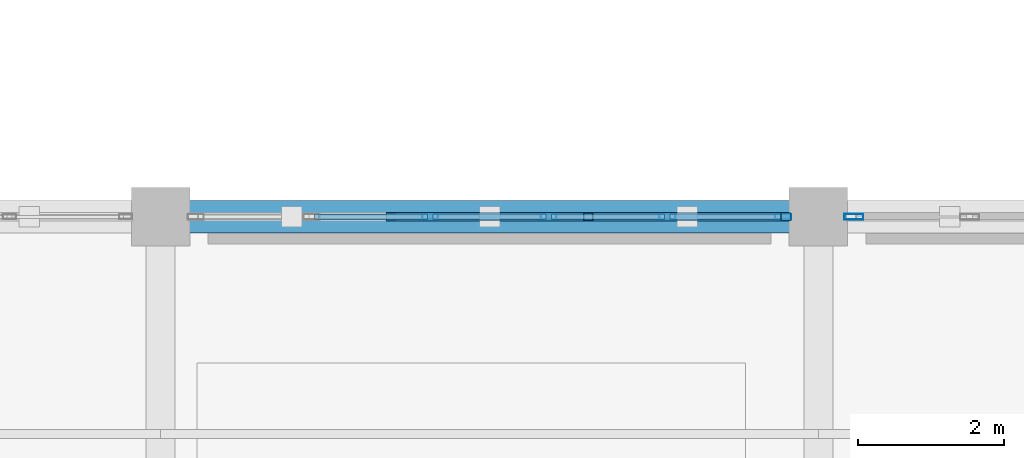
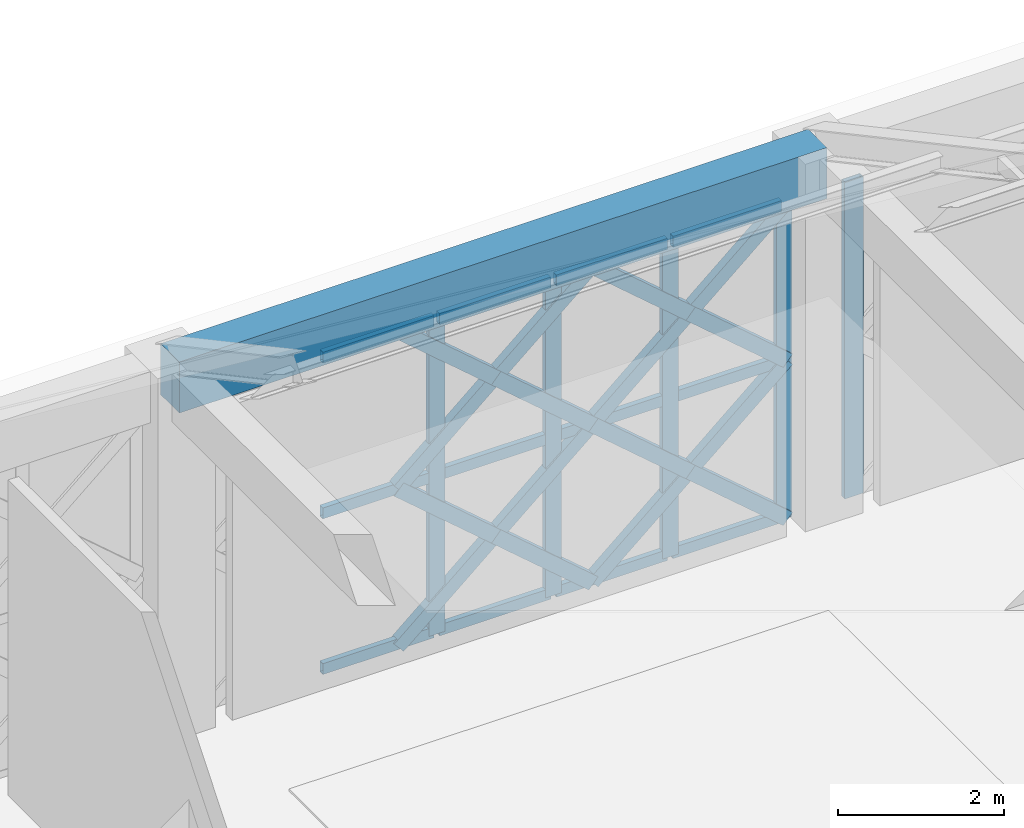
# One storey, part 29 of 86: 29 members, 1 beam, 2 elements without a shape of their own.
"""IFC4 building model written with IfcOpenShell, lengths in metres."""

from ifc_helpers import new_model, si_unit, direction, frame, origin, origin_2d, place, context, subcontext, project, spatial, rectangle, hollow_rectangle, extrude, material, material_profile, profile_set, type_object, element, aggregate, save


model = new_model("IFC4")

# Units and contexts
model_context = context("Model", 3, precision=1e-05, world=origin(), true_north=direction((0.0, 1.0)))
body_context = subcontext(model_context, "Body", "Model", "MODEL_VIEW")
ifc_project = project(units=[si_unit("LENGTHUNIT", "METRE"), si_unit("AREAUNIT", "SQUARE_METRE"), si_unit("VOLUMEUNIT", "CUBIC_METRE"), si_unit("PLANEANGLEUNIT", "RADIAN"), si_unit("MASSUNIT", "GRAM", prefix="KILO")], contexts=[model_context])

# Site, building, storey
site_placement = place(None, origin())
site = spatial("IfcSite", under=ifc_project, at=site_placement, CompositionType="ELEMENT")
building_placement = place(site_placement, origin())
building = spatial("IfcBuilding", under=site, at=building_placement, Name="Haizhuo Lancet Aquarium", CompositionType="ELEMENT")
storey_placement = place(building_placement, frame((0.0, 0.0, 16.199951171875)))
storey = spatial("IfcBuildingStorey", under=building, at=storey_placement, Name="L03", CompositionType="ELEMENT", Elevation=16.199951171875)

# Beam
ifc_material_1 = material(Name="Concrete C40/50", Category="concrete")
ifc_material_profile_1 = material_profile(ifc_material_1, rectangle(XDim=0.449951171875, YDim=0.75, at=origin_2d()), Name="RC-BM 450x750")
ifc_profile_set_1 = profile_set([ifc_material_profile_1], Name="Concrete C40/50")
beam_type = type_object("IfcBeamType", Name="BM-RC-450x750", PredefinedType="BEAM", material=ifc_profile_set_1)
beam_placement = place(storey_placement, frame((36.0, -9.0, 5.025146484375), z_axis=(1.0, 0.0, 0.0), x_axis=(0.0, 1.0, 0.0)))
element("IfcBeam", 1, at=beam_placement, inside=storey, type_object=beam_type, Name="L03 V3 primary girder BM-L03-V3-013", PredefinedType="BEAM", context=body_context, shape_type="SweptSolid", body=[
    extrude(rectangle(XDim=0.449951171875, YDim=0.75, at=origin_2d()), origin(), (0.0, 0.0, 1.0), 9.0),
])

# Curtain wall, members
ifc_material_2 = material(Name="Aluminium 6063-T6", Category="aluminium")
curtain_wall_type = type_object("IfcCurtainWallType", Name="CWO-8110x4650", PredefinedType="NOTDEFINED", material=ifc_material_2)
curtain_wall_1_placement = place(storey_placement, origin())
curtain_wall_1 = element("IfcCurtainWall", 2, at=curtain_wall_1_placement, inside=storey, type_object=curtain_wall_type, Name="L03 curtain wall CW-V3-L03-068", PredefinedType="NOTDEFINED")
ifc_material_profile_2 = material_profile(ifc_material_2, hollow_rectangle(XDim=0.074951171875, YDim=0.219970703125, WallThickness=0.0048828125, at=origin_2d()), Name="ALU-M 75x220x5")
ifc_profile_set_2 = profile_set([ifc_material_profile_2], Name="Aluminium 6063-T6")
member_type_1 = type_object("IfcMemberType", Name="CW-MUL-2", PredefinedType="MULLION", material=ifc_profile_set_2)
member_1_placement = place(storey_placement, frame((39.68896484375, -9.0, 0.0), z_axis=(0.0, 0.0, 1.0), x_axis=(0.0, 1.0, 0.0)))
member_1 = element("IfcMember", 3, at=member_1_placement, type_object=member_type_1, Name="CWO-81x46 mullion 3", PredefinedType="MULLION", context=body_context, shape_type="SweptSolid", body=[
    extrude(hollow_rectangle(XDim=0.074951171875, YDim=0.219970703125, WallThickness=0.0048828125, at=origin_2d()), origin(), (0.0, 0.0, 1.0), 4.650146484375),
])
member_2_placement = place(storey_placement, frame((41.31103515625, -9.0, 0.0), z_axis=(0.0, 0.0, 1.0), x_axis=(0.0, 1.0, 0.0)))
member_2 = element("IfcMember", 4, at=member_2_placement, type_object=member_type_1, Name="CWO-81x46 mullion 4", PredefinedType="MULLION", context=body_context, shape_type="SweptSolid", body=[
    extrude(hollow_rectangle(XDim=0.074951171875, YDim=0.219970703125, WallThickness=0.0048828125, at=origin_2d()), origin(), (0.0, 0.0, 1.0), 4.650146484375),
])
member_3_placement = place(storey_placement, frame((42.93310546875, -9.0, 0.0), z_axis=(0.0, 0.0, 1.0), x_axis=(0.0, 1.0, 0.0)))
member_3 = element("IfcMember", 5, at=member_3_placement, type_object=member_type_1, Name="CWO-81x46 mullion 5", PredefinedType="MULLION", context=body_context, shape_type="SweptSolid", body=[
    extrude(hollow_rectangle(XDim=0.074951171875, YDim=0.219970703125, WallThickness=0.0048828125, at=origin_2d()), origin(), (0.0, 0.0, 1.0), 4.650146484375),
])
member_4_placement = place(storey_placement, frame((44.51708984375, -9.0, 0.0), z_axis=(0.0, 0.0, 1.0), x_axis=(0.0, 1.0, 0.0)))
member_4 = element("IfcMember", 6, at=member_4_placement, type_object=member_type_1, Name="CWO-81x46 mullion 6", PredefinedType="MULLION", context=body_context, shape_type="SweptSolid", body=[
    extrude(hollow_rectangle(XDim=0.074951171875, YDim=0.219970703125, WallThickness=0.0048828125, at=origin_2d()), origin(), (0.0, 0.0, 1.0), 4.650146484375),
])

# Curtain wall, member
curtain_wall_2_placement = place(storey_placement, origin())
curtain_wall_2 = element("IfcCurtainWall", 7, at=curtain_wall_2_placement, inside=storey, type_object=curtain_wall_type, Name="L03 curtain wall CW-V3-L03-069", PredefinedType="NOTDEFINED")
ifc_material_profile_3 = material_profile(ifc_material_2, hollow_rectangle(XDim=0.080078125, YDim=0.260009765625, WallThickness=0.0048828125, at=origin_2d()), Name="ALU-M 80x260x5")
ifc_profile_set_3 = profile_set([ifc_material_profile_3], Name="Aluminium 6063-T6")
member_type_2 = type_object("IfcMemberType", Name="CW-MUL-3", PredefinedType="MULLION", material=ifc_profile_set_3)
member_5_placement = place(storey_placement, frame((45.485107421875, -9.0, 0.0), z_axis=(0.0, 0.0, 1.0), x_axis=(0.0, 1.0, 0.0)))
member_5 = element("IfcMember", 8, at=member_5_placement, type_object=member_type_2, Name="CWO-81x46 mullion 1", PredefinedType="MULLION", context=body_context, shape_type="SweptSolid", body=[
    extrude(hollow_rectangle(XDim=0.080078125, YDim=0.260009765625, WallThickness=0.0048828125, at=origin_2d()), origin(), (0.0, 0.0, 1.0), 4.650146484375),
])
aggregate(curtain_wall_2, [member_5])

# Member
ifc_material_profile_4 = material_profile(ifc_material_2, hollow_rectangle(XDim=0.074951171875, YDim=0.159912109375, WallThickness=0.00390625, at=origin_2d()), Name="ALU-T 75x160x4")
ifc_profile_set_4 = profile_set([ifc_material_profile_4], Name="Aluminium 6063-T6")
member_type_3 = type_object("IfcMemberType", Name="CW-TRN-2", PredefinedType="NOTDEFINED", material=ifc_profile_set_4)
member_6_placement = place(storey_placement, frame((38.10498046875, -9.0, 0.0380859375), z_axis=(1.0, 0.0, 0.0), x_axis=(0.0, 1.0, 0.0)))
member_6 = element("IfcMember", 9, at=member_6_placement, type_object=member_type_3, Name="CWO-81x46 transom 2.1", ObjectType="TRANSOM", PredefinedType="USERDEFINED", context=body_context, shape_type="SweptSolid", body=[
    extrude(hollow_rectangle(XDim=0.074951171875, YDim=0.159912109375, WallThickness=0.00390625, at=origin_2d()), origin(), (0.0, 0.0, 1.0), 1.5458984375),
])

member_7_placement = place(storey_placement, frame((38.10498046875, -9.0, 2.324951171875), z_axis=(1.0, 0.0, 0.0), x_axis=(0.0, 1.0, 0.0)))
member_7 = element("IfcMember", 10, at=member_7_placement, type_object=member_type_3, Name="CWO-81x46 transom 2.2", ObjectType="TRANSOM", PredefinedType="USERDEFINED", context=body_context, shape_type="SweptSolid", body=[
    extrude(hollow_rectangle(XDim=0.074951171875, YDim=0.159912109375, WallThickness=0.00390625, at=origin_2d()), origin(), (0.0, 0.0, 1.0), 1.5458984375),
])

member_8_placement = place(storey_placement, frame((38.10498046875, -9.0, 4.612060546875), z_axis=(1.0, 0.0, 0.0), x_axis=(0.0, 1.0, 0.0)))
member_8 = element("IfcMember", 11, at=member_8_placement, type_object=member_type_3, Name="CWO-81x46 transom 2.3", ObjectType="TRANSOM", PredefinedType="USERDEFINED", context=body_context, shape_type="SweptSolid", body=[
    extrude(hollow_rectangle(XDim=0.074951171875, YDim=0.159912109375, WallThickness=0.00390625, at=origin_2d()), origin(), (0.0, 0.0, 1.0), 1.5458984375),
])

member_9_placement = place(storey_placement, frame((39.72705078125, -9.0, 0.0380859375), z_axis=(1.0, 0.0, 0.0), x_axis=(0.0, 1.0, 0.0)))
member_9 = element("IfcMember", 12, at=member_9_placement, type_object=member_type_3, Name="CWO-81x46 transom 3.1", ObjectType="TRANSOM", PredefinedType="USERDEFINED", context=body_context, shape_type="SweptSolid", body=[
    extrude(hollow_rectangle(XDim=0.074951171875, YDim=0.159912109375, WallThickness=0.00390625, at=origin_2d()), origin(), (0.0, 0.0, 1.0), 1.5458984375),
])

member_10_placement = place(storey_placement, frame((39.72705078125, -9.0, 2.324951171875), z_axis=(1.0, 0.0, 0.0), x_axis=(0.0, 1.0, 0.0)))
member_10 = element("IfcMember", 13, at=member_10_placement, type_object=member_type_3, Name="CWO-81x46 transom 3.2", ObjectType="TRANSOM", PredefinedType="USERDEFINED", context=body_context, shape_type="SweptSolid", body=[
    extrude(hollow_rectangle(XDim=0.074951171875, YDim=0.159912109375, WallThickness=0.00390625, at=origin_2d()), origin(), (0.0, 0.0, 1.0), 1.5458984375),
])

member_11_placement = place(storey_placement, frame((39.72705078125, -9.0, 4.612060546875), z_axis=(1.0, 0.0, 0.0), x_axis=(0.0, 1.0, 0.0)))
member_11 = element("IfcMember", 14, at=member_11_placement, type_object=member_type_3, Name="CWO-81x46 transom 3.3", ObjectType="TRANSOM", PredefinedType="USERDEFINED", context=body_context, shape_type="SweptSolid", body=[
    extrude(hollow_rectangle(XDim=0.074951171875, YDim=0.159912109375, WallThickness=0.00390625, at=origin_2d()), origin(), (0.0, 0.0, 1.0), 1.5458984375),
])

member_12_placement = place(storey_placement, frame((41.34912109375, -9.0, 0.0380859375), z_axis=(1.0, 0.0, 0.0), x_axis=(0.0, 1.0, 0.0)))
member_12 = element("IfcMember", 15, at=member_12_placement, type_object=member_type_3, Name="CWO-81x46 transom 4.1", ObjectType="TRANSOM", PredefinedType="USERDEFINED", context=body_context, shape_type="SweptSolid", body=[
    extrude(hollow_rectangle(XDim=0.074951171875, YDim=0.159912109375, WallThickness=0.00390625, at=origin_2d()), origin(), (0.0, 0.0, 1.0), 1.5458984375),
])

member_13_placement = place(storey_placement, frame((41.34912109375, -9.0, 2.324951171875), z_axis=(1.0, 0.0, 0.0), x_axis=(0.0, 1.0, 0.0)))
member_13 = element("IfcMember", 16, at=member_13_placement, type_object=member_type_3, Name="CWO-81x46 transom 4.2", ObjectType="TRANSOM", PredefinedType="USERDEFINED", context=body_context, shape_type="SweptSolid", body=[
    extrude(hollow_rectangle(XDim=0.074951171875, YDim=0.159912109375, WallThickness=0.00390625, at=origin_2d()), origin(), (0.0, 0.0, 1.0), 1.5458984375),
])

member_14_placement = place(storey_placement, frame((41.34912109375, -9.0, 4.612060546875), z_axis=(1.0, 0.0, 0.0), x_axis=(0.0, 1.0, 0.0)))
member_14 = element("IfcMember", 17, at=member_14_placement, type_object=member_type_3, Name="CWO-81x46 transom 4.3", ObjectType="TRANSOM", PredefinedType="USERDEFINED", context=body_context, shape_type="SweptSolid", body=[
    extrude(hollow_rectangle(XDim=0.074951171875, YDim=0.159912109375, WallThickness=0.00390625, at=origin_2d()), origin(), (0.0, 0.0, 1.0), 1.5458984375),
])

member_15_placement = place(storey_placement, frame((42.970947265625, -9.0, 0.0380859375), z_axis=(1.0, 0.0, 0.0), x_axis=(0.0, 1.0, 0.0)))
member_15 = element("IfcMember", 18, at=member_15_placement, type_object=member_type_3, Name="CWO-81x46 transom 5.1", ObjectType="TRANSOM", PredefinedType="USERDEFINED", context=body_context, shape_type="SweptSolid", body=[
    extrude(hollow_rectangle(XDim=0.074951171875, YDim=0.159912109375, WallThickness=0.00390625, at=origin_2d()), origin(), (0.0, 0.0, 1.0), 1.509033203125),
])

member_16_placement = place(storey_placement, frame((42.970947265625, -9.0, 2.324951171875), z_axis=(1.0, 0.0, 0.0), x_axis=(0.0, 1.0, 0.0)))
member_16 = element("IfcMember", 19, at=member_16_placement, type_object=member_type_3, Name="CWO-81x46 transom 5.2", ObjectType="TRANSOM", PredefinedType="USERDEFINED", context=body_context, shape_type="SweptSolid", body=[
    extrude(hollow_rectangle(XDim=0.074951171875, YDim=0.159912109375, WallThickness=0.00390625, at=origin_2d()), origin(), (0.0, 0.0, 1.0), 1.509033203125),
])

member_17_placement = place(storey_placement, frame((42.970947265625, -9.0, 4.612060546875), z_axis=(1.0, 0.0, 0.0), x_axis=(0.0, 1.0, 0.0)))
member_17 = element("IfcMember", 20, at=member_17_placement, type_object=member_type_3, Name="CWO-81x46 transom 5.3", ObjectType="TRANSOM", PredefinedType="USERDEFINED", context=body_context, shape_type="SweptSolid", body=[
    extrude(hollow_rectangle(XDim=0.074951171875, YDim=0.159912109375, WallThickness=0.00390625, at=origin_2d()), origin(), (0.0, 0.0, 1.0), 1.509033203125),
])

aggregate(curtain_wall_1, [member_1, member_2, member_3, member_4, member_6, member_7, member_8, member_9, member_10, member_11, member_12, member_13, member_14, member_15, member_16, member_17])

# Members
ifc_material_3 = material(Name="Steel S355", Category="steel")
ifc_material_profile_5 = material_profile(ifc_material_3, hollow_rectangle(XDim=0.1201171875, YDim=0.199951171875, WallThickness=0.008056640625, at=origin_2d()), Name="RHS 120x200x8")
ifc_profile_set_5 = profile_set([ifc_material_profile_5], Name="Steel S355")
member_type_4 = type_object("IfcMemberType", Name="MEM-LB-RHS120x200", PredefinedType="BRACE", material=ifc_profile_set_5)
member_18_placement = place(storey_placement, frame((39.14794921875, -9.0, 0.0), z_axis=(0.758265063468, 0.0, 0.651946388535), x_axis=(0.0, 1.0, 0.0)))
element("IfcMember", 21, at=member_18_placement, inside=storey, type_object=member_type_4, Name="Gothic lancet continuous diagonal brace CW-V3-L03-068 3A", PredefinedType="BRACE", context=body_context, shape_type="SweptSolid", body=[
    extrude(hollow_rectangle(XDim=0.1201171875, YDim=0.199951171875, WallThickness=0.008056640625, at=origin_2d()), origin(), (0.0, 0.0, 1.0), 3.566162109375),
])
member_19_placement = place(storey_placement, frame((41.85205078125, -9.0, 0.0), z_axis=(-0.758366597375, 0.0, 0.651828277989), x_axis=(0.0, -1.0, 0.0)))
element("IfcMember", 22, at=member_19_placement, inside=storey, type_object=member_type_4, Name="Gothic lancet split diagonal brace CW-V3-L03-068 3B1", PredefinedType="BRACE", context=body_context, shape_type="SweptSolid", body=[
    extrude(hollow_rectangle(XDim=0.1201171875, YDim=0.199951171875, WallThickness=0.008056640625, at=origin_2d()), origin(), (0.0, 0.0, 1.0), 1.782958984375),
])
member_20_placement = place(storey_placement, frame((40.5, -9.0, 1.162109375), z_axis=(-0.758163538361, 0.0, 0.652064451646), x_axis=(0.0, -1.0, 0.0)))
element("IfcMember", 23, at=member_20_placement, inside=storey, type_object=member_type_4, Name="Gothic lancet split diagonal brace CW-V3-L03-068 3B2", PredefinedType="BRACE", context=body_context, shape_type="SweptSolid", body=[
    extrude(hollow_rectangle(XDim=0.1201171875, YDim=0.199951171875, WallThickness=0.008056640625, at=origin_2d()), origin(), (0.0, 0.0, 1.0), 1.783203125),
])
member_21_placement = place(storey_placement, frame((39.14794921875, -9.0, 2.324951171875), z_axis=(0.758231220788, 0.0, 0.651985748175), x_axis=(0.0, 1.0, 0.0)))
element("IfcMember", 24, at=member_21_placement, inside=storey, type_object=member_type_4, Name="Gothic lancet continuous diagonal brace CW-V3-L03-068 4A", PredefinedType="BRACE", context=body_context, shape_type="SweptSolid", body=[
    extrude(hollow_rectangle(XDim=0.1201171875, YDim=0.199951171875, WallThickness=0.008056640625, at=origin_2d()), origin(), (0.0, 0.0, 1.0), 3.56640625),
])
member_22_placement = place(storey_placement, frame((41.85205078125, -9.0, 2.324951171875), z_axis=(-0.75809585985, 0.0, 0.652143134042), x_axis=(0.0, -1.0, 0.0)))
element("IfcMember", 25, at=member_22_placement, inside=storey, type_object=member_type_4, Name="Gothic lancet split diagonal brace CW-V3-L03-068 4B1", PredefinedType="BRACE", context=body_context, shape_type="SweptSolid", body=[
    extrude(hollow_rectangle(XDim=0.1201171875, YDim=0.199951171875, WallThickness=0.008056640625, at=origin_2d()), origin(), (0.0, 0.0, 1.0), 1.783447265625),
])
member_23_placement = place(storey_placement, frame((40.5, -9.0, 3.488037109375), z_axis=(-0.758366597375, 0.0, 0.651828277989), x_axis=(0.0, -1.0, 0.0)))
element("IfcMember", 26, at=member_23_placement, inside=storey, type_object=member_type_4, Name="Gothic lancet split diagonal brace CW-V3-L03-068 4B2", PredefinedType="BRACE", context=body_context, shape_type="SweptSolid", body=[
    extrude(hollow_rectangle(XDim=0.1201171875, YDim=0.199951171875, WallThickness=0.008056640625, at=origin_2d()), origin(), (0.0, 0.0, 1.0), 1.782958984375),
])
member_24_placement = place(storey_placement, frame((41.85205078125, -9.0, 0.0), z_axis=(0.758119517235, 0.0, 0.652115632068), x_axis=(0.0, 1.0, 0.0)))
element("IfcMember", 27, at=member_24_placement, inside=storey, type_object=member_type_4, Name="Gothic lancet continuous diagonal brace CW-V3-L03-068 5A", PredefinedType="BRACE", context=body_context, shape_type="SweptSolid", body=[
    extrude(hollow_rectangle(XDim=0.1201171875, YDim=0.199951171875, WallThickness=0.008056640625, at=origin_2d()), origin(), (0.0, 0.0, 1.0), 3.565185546875),
])
member_25_placement = place(storey_placement, frame((44.554931640625, -9.0, 0.0), z_axis=(-0.758366597375, 0.0, 0.651828277989), x_axis=(0.0, -1.0, 0.0)))
element("IfcMember", 28, at=member_25_placement, inside=storey, type_object=member_type_4, Name="Gothic lancet split diagonal brace CW-V3-L03-068 5B1", PredefinedType="BRACE", context=body_context, shape_type="SweptSolid", body=[
    extrude(hollow_rectangle(XDim=0.1201171875, YDim=0.199951171875, WallThickness=0.008056640625, at=origin_2d()), origin(), (0.0, 0.0, 1.0), 1.782958984375),
])
member_26_placement = place(storey_placement, frame((43.202880859375, -9.0, 1.162109375), z_axis=(-0.757872266095, 0.0, 0.65240296465), x_axis=(0.0, -1.0, 0.0)))
element("IfcMember", 29, at=member_26_placement, inside=storey, type_object=member_type_4, Name="Gothic lancet split diagonal brace CW-V3-L03-068 5B2", PredefinedType="BRACE", context=body_context, shape_type="SweptSolid", body=[
    extrude(hollow_rectangle(XDim=0.1201171875, YDim=0.199951171875, WallThickness=0.008056640625, at=origin_2d()), origin(), (0.0, 0.0, 1.0), 1.782470703125),
])
member_27_placement = place(storey_placement, frame((41.85205078125, -9.0, 2.324951171875), z_axis=(0.758085663481, 0.0, 0.652154986812), x_axis=(0.0, 1.0, 0.0)))
element("IfcMember", 30, at=member_27_placement, inside=storey, type_object=member_type_4, Name="Gothic lancet continuous diagonal brace CW-V3-L03-068 6A", PredefinedType="BRACE", context=body_context, shape_type="SweptSolid", body=[
    extrude(hollow_rectangle(XDim=0.1201171875, YDim=0.199951171875, WallThickness=0.008056640625, at=origin_2d()), origin(), (0.0, 0.0, 1.0), 3.5654296875),
])
member_28_placement = place(storey_placement, frame((44.554931640625, -9.0, 2.324951171875), z_axis=(-0.75809585985, 0.0, 0.652143134042), x_axis=(0.0, -1.0, 0.0)))
element("IfcMember", 31, at=member_28_placement, inside=storey, type_object=member_type_4, Name="Gothic lancet split diagonal brace CW-V3-L03-068 6B1", PredefinedType="BRACE", context=body_context, shape_type="SweptSolid", body=[
    extrude(hollow_rectangle(XDim=0.1201171875, YDim=0.199951171875, WallThickness=0.008056640625, at=origin_2d()), origin(), (0.0, 0.0, 1.0), 1.783447265625),
])
member_29_placement = place(storey_placement, frame((43.202880859375, -9.0, 3.488037109375), z_axis=(-0.758075457988, 0.0, 0.652166849814), x_axis=(0.0, -1.0, 0.0)))
element("IfcMember", 32, at=member_29_placement, inside=storey, type_object=member_type_4, Name="Gothic lancet split diagonal brace CW-V3-L03-068 6B2", PredefinedType="BRACE", context=body_context, shape_type="SweptSolid", body=[
    extrude(hollow_rectangle(XDim=0.1201171875, YDim=0.199951171875, WallThickness=0.008056640625, at=origin_2d()), origin(), (0.0, 0.0, 1.0), 1.781982421875),
])

save(model, "model.ifc")
